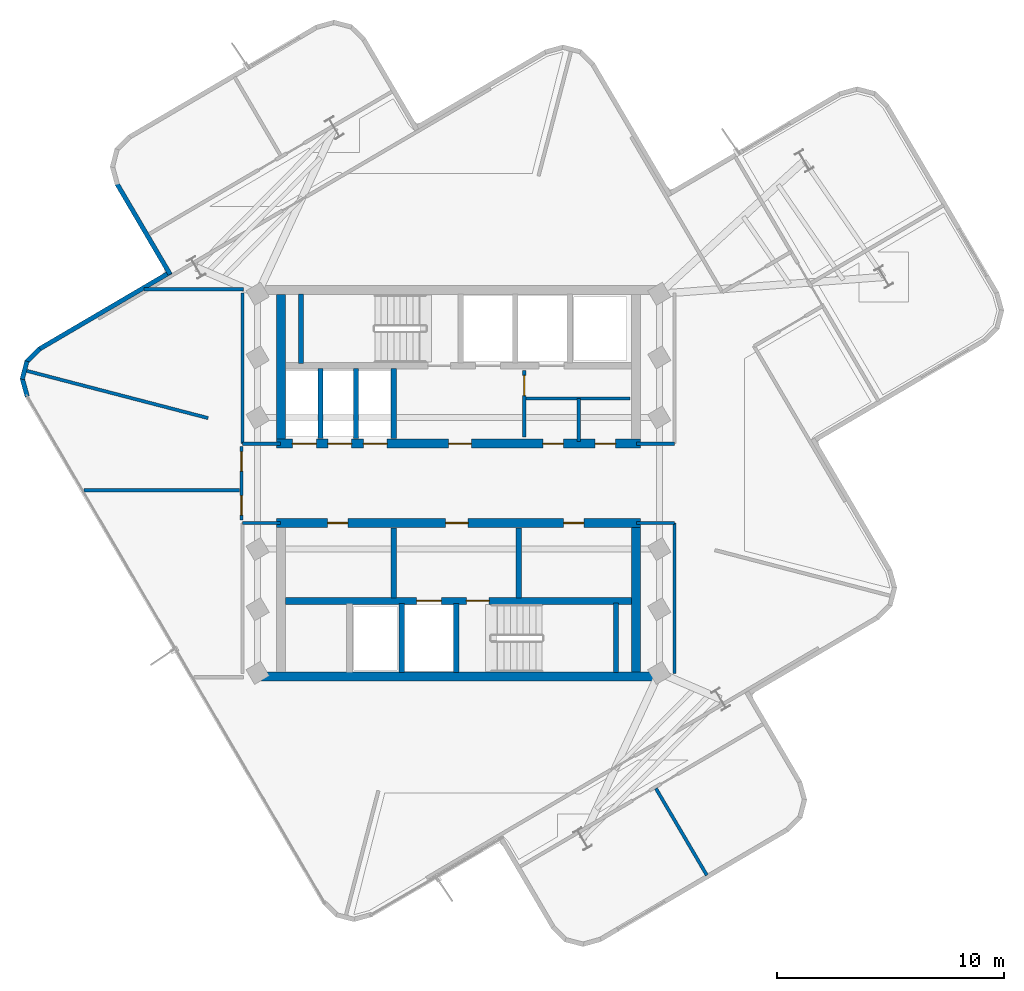
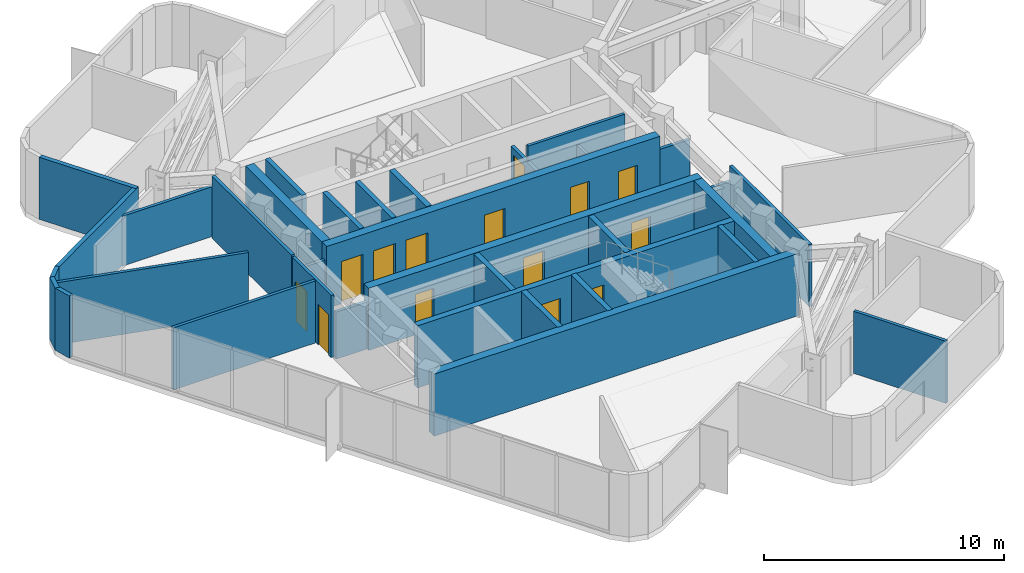
# One storey, part 5 of 9: 34 walls, 14 doors, 14 openings.
"""IFC4 building model written with IfcOpenShell, lengths in metres."""

from ifc_helpers import new_model, si_unit, direction, frame, frame_2d, origin, place, context, subcontext, project, spatial, rectangle, extrude, material, layer, layer_set, type_object, element, fill, save


model = new_model("IFC4")

# Units and contexts
model_context = context("Model", 3, precision=1e-05, world=origin(), true_north=direction((0.0, 1.0)))
body_context = subcontext(model_context, "Body", "Model", "MODEL_VIEW")
ifc_project = project(units=[si_unit("LENGTHUNIT", "METRE"), si_unit("AREAUNIT", "SQUARE_METRE"), si_unit("VOLUMEUNIT", "CUBIC_METRE"), si_unit("PLANEANGLEUNIT", "RADIAN"), si_unit("MASSUNIT", "GRAM", prefix="KILO")], contexts=[model_context])

# Site, building, storey
site_placement = place(None, origin())
site = spatial("IfcSite", under=ifc_project, at=site_placement, CompositionType="ELEMENT")
building_placement = place(site_placement, origin())
building = spatial("IfcBuilding", under=site, at=building_placement, Name="Solmarez Civic Tower", CompositionType="ELEMENT")
storey_placement = place(building_placement, frame((0.0, 0.0, 208.6201171875)))
storey = spatial("IfcBuildingStorey", under=building, at=storey_placement, Name="L55", CompositionType="ELEMENT", Elevation=208.6201171875)

# Wall, openings, doors
ifc_material_1 = material(Name="Concrete C50/60", Category="concrete")
ifc_layer_1 = layer(ifc_material_1, 0.39990234375)
ifc_layer_set_1 = layer_set([ifc_layer_1], Name="Concrete C50/60")
wall_type_1 = type_object("IfcWallType", Name="WALL-CORE-400", PredefinedType="SHEAR", material=ifc_layer_set_1)
wall_1_placement = place(storey_placement, frame((8.02001953125, 1.75, 0.0), z_axis=(0.0, 0.0, 1.0), x_axis=(-1.0, 0.0, 0.0)))
wall_1 = element("IfcWall", 1, at=wall_1_placement, inside=storey, type_object=wall_type_1, Name="L55 Split-Core Structural Wall NCW-S-L55", PredefinedType="SHEAR", context=body_context, shape_type="SweptSolid", body=[
    extrude(rectangle(XDim=16.0400390625, YDim=0.39990234375, at=frame_2d((8.02001953125, 0.0))), origin(), (0.0, 0.0, 1.0), 3.159912109375),
])
opening_1_placement = place(wall_1_placement, frame((7.449951171875, 0.0, 0.0)))
opening_1 = element("IfcOpeningElement", 2, at=opening_1_placement, cuts=wall_1, Name="Opening D-04", PredefinedType="OPENING", context=body_context, shape_type="SweptSolid", body=[
    extrude(rectangle(XDim=1.0, YDim=2.10009765625, at=frame_2d((0.5, 1.050048828125))), frame((0.0, 0.2099609375, 0.0), z_axis=(0.0, -1.0, 0.0), x_axis=(1.0, 0.0, 0.0)), (0.0, 0.0, 1.0), 0.419921875),
])
opening_2_placement = place(wall_1_placement, frame((14.284912109375, 0.0, 0.0)))
opening_2 = element("IfcOpeningElement", 3, at=opening_2_placement, cuts=wall_1, Name="Opening LD-01", PredefinedType="OPENING", context=body_context, shape_type="SweptSolid", body=[
    extrude(rectangle(XDim=1.050048828125, YDim=2.14990234375, at=frame_2d((0.52490234375, 1.074951171875))), frame((0.0, 0.2099609375, 0.0), z_axis=(0.0, -1.0, 0.0), x_axis=(1.0, 0.0, 0.0)), (0.0, 0.0, 1.0), 0.419921875),
])
opening_3_placement = place(wall_1_placement, frame((12.72509765625, 0.0, 0.0)))
opening_3 = element("IfcOpeningElement", 4, at=opening_3_placement, cuts=wall_1, Name="Opening LD-01", PredefinedType="OPENING", context=body_context, shape_type="SweptSolid", body=[
    extrude(rectangle(XDim=1.050048828125, YDim=2.14990234375, at=frame_2d((0.52490234375, 1.074951171875))), frame((0.0, 0.2099609375, 0.0), z_axis=(0.0, -1.0, 0.0), x_axis=(1.0, 0.0, 0.0)), (0.0, 0.0, 1.0), 0.419921875),
])
opening_4_placement = place(wall_1_placement, frame((11.1650390625, 0.0, 0.0)))
opening_4 = element("IfcOpeningElement", 5, at=opening_4_placement, cuts=wall_1, Name="Opening LD-01", PredefinedType="OPENING", context=body_context, shape_type="SweptSolid", body=[
    extrude(rectangle(XDim=1.050048828125, YDim=2.14990234375, at=frame_2d((0.52490234375, 1.074951171875))), frame((0.0, 0.2099609375, 0.0), z_axis=(0.0, -1.0, 0.0), x_axis=(1.0, 0.0, 0.0)), (0.0, 0.0, 1.0), 0.419921875),
])
opening_5_placement = place(wall_1_placement, frame((3.39990234375, 0.0, 0.0)))
opening_5 = element("IfcOpeningElement", 6, at=opening_5_placement, cuts=wall_1, Name="Opening D-09", PredefinedType="OPENING", context=body_context, shape_type="SweptSolid", body=[
    extrude(rectangle(XDim=0.89990234375, YDim=2.06005859375, at=frame_2d((0.449951171875, 1.030029296875))), frame((0.0, 0.2099609375, 0.0), z_axis=(0.0, -1.0, 0.0), x_axis=(1.0, 0.0, 0.0)), (0.0, 0.0, 1.0), 0.419921875),
])
opening_6_placement = place(wall_1_placement, frame((1.10009765625, 0.0, 0.0)))
opening_6 = element("IfcOpeningElement", 7, at=opening_6_placement, cuts=wall_1, Name="Opening D-09", PredefinedType="OPENING", context=body_context, shape_type="SweptSolid", body=[
    extrude(rectangle(XDim=0.89990234375, YDim=2.06005859375, at=frame_2d((0.449951171875, 1.030029296875))), frame((0.0, 0.2099609375, 0.0), z_axis=(0.0, -1.0, 0.0), x_axis=(1.0, 0.0, 0.0)), (0.0, 0.0, 1.0), 0.419921875),
])
ifc_material_2 = material(Name="Steel-Faced Acoustic Fire Door", Category="steel")
door_type_1 = type_object("IfcDoorType", Name="DOOR-FD60-1000", OperationType="NOTDEFINED", PredefinedType="DOOR", material=ifc_material_2)
door_1_placement = place(opening_1_placement, origin())
door_1 = element("IfcDoor", 8, at=door_1_placement, inside=storey, type_object=door_type_1, Name="L55 North Firefighting Lobby Door", OperationType="SINGLE_SWING_RIGHT", OverallHeight=2.10009765625, OverallWidth=1.0, PredefinedType="DOOR", context=body_context, shape_type="SweptSolid", body=[
    extrude(rectangle(XDim=1.0, YDim=2.10009765625, at=frame_2d((0.5, 1.050048828125))), frame((0.0, 0.02490234375, 0.0), z_axis=(0.0, -1.0, 0.0), x_axis=(1.0, 0.0, 0.0)), (0.0, 0.0, 1.0), 0.050048828125),
])
fill(opening_1, door_1)
ifc_material_3 = material(Name="Fire-Rated Service Core Door", Category="wood")
door_type_2 = type_object("IfcDoorType", Name="DOOR-FD60-900", OperationType="NOTDEFINED", PredefinedType="DOOR", material=ifc_material_3)
door_2_placement = place(opening_5_placement, origin())
door_2 = element("IfcDoor", 9, at=door_2_placement, inside=storey, type_object=door_type_2, Name="L55 Core WC Door", OperationType="SINGLE_SWING_LEFT", OverallHeight=2.06005859375, OverallWidth=0.89990234375, PredefinedType="DOOR", context=body_context, shape_type="SweptSolid", body=[
    extrude(rectangle(XDim=0.89990234375, YDim=2.06005859375, at=frame_2d((0.449951171875, 1.030029296875))), frame((0.0, 0.02490234375, 0.0), z_axis=(0.0, -1.0, 0.0), x_axis=(1.0, 0.0, 0.0)), (0.0, 0.0, 1.0), 0.050048828125),
])
fill(opening_5, door_2)
door_3_placement = place(opening_6_placement, origin())
door_3 = element("IfcDoor", 10, at=door_3_placement, inside=storey, type_object=door_type_2, Name="L55 Core CL Door", OperationType="SINGLE_SWING_RIGHT", OverallHeight=2.06005859375, OverallWidth=0.89990234375, PredefinedType="DOOR", context=body_context, shape_type="SweptSolid", body=[
    extrude(rectangle(XDim=0.89990234375, YDim=2.06005859375, at=frame_2d((0.449951171875, 1.030029296875))), frame((0.0, 0.02490234375, 0.0), z_axis=(0.0, -1.0, 0.0), x_axis=(1.0, 0.0, 0.0)), (0.0, 0.0, 1.0), 0.050048828125),
])
fill(opening_6, door_3)
ifc_material_4 = material(Name="Bronze Passenger Lift Landing Sliding Door", Category="aluminium")
door_type_3 = type_object("IfcDoorType", Name="DOOR-LD-PAX-1050", OperationType="DOUBLE_DOOR_SLIDING", PredefinedType="DOOR", material=ifc_material_4)
door_4_placement = place(opening_2_placement, origin())
door_4 = element("IfcDoor", 11, at=door_4_placement, inside=storey, type_object=door_type_3, Name="L55 High-Rise Lift Landing Door PL-H1", OperationType="DOUBLE_DOOR_SLIDING", OverallHeight=2.14990234375, OverallWidth=1.050048828125, PredefinedType="DOOR", context=body_context, shape_type="SweptSolid", body=[
    extrude(rectangle(XDim=1.050048828125, YDim=2.14990234375, at=frame_2d((0.52490234375, 1.074951171875))), frame((0.0, 0.02490234375, 0.0), z_axis=(0.0, -1.0, 0.0), x_axis=(1.0, 0.0, 0.0)), (0.0, 0.0, 1.0), 0.050048828125),
])
fill(opening_2, door_4)
door_5_placement = place(opening_3_placement, origin())
door_5 = element("IfcDoor", 12, at=door_5_placement, inside=storey, type_object=door_type_3, Name="L55 High-Rise Lift Landing Door PL-H2", OperationType="DOUBLE_DOOR_SLIDING", OverallHeight=2.14990234375, OverallWidth=1.050048828125, PredefinedType="DOOR", context=body_context, shape_type="SweptSolid", body=[
    extrude(rectangle(XDim=1.050048828125, YDim=2.14990234375, at=frame_2d((0.52490234375, 1.074951171875))), frame((0.0, 0.02490234375, 0.0), z_axis=(0.0, -1.0, 0.0), x_axis=(1.0, 0.0, 0.0)), (0.0, 0.0, 1.0), 0.050048828125),
])
fill(opening_3, door_5)
door_6_placement = place(opening_4_placement, origin())
door_6 = element("IfcDoor", 13, at=door_6_placement, inside=storey, type_object=door_type_3, Name="L55 High-Rise Lift Landing Door PL-H3", OperationType="DOUBLE_DOOR_SLIDING", OverallHeight=2.14990234375, OverallWidth=1.050048828125, PredefinedType="DOOR", context=body_context, shape_type="SweptSolid", body=[
    extrude(rectangle(XDim=1.050048828125, YDim=2.14990234375, at=frame_2d((0.52490234375, 1.074951171875))), frame((0.0, 0.02490234375, 0.0), z_axis=(0.0, -1.0, 0.0), x_axis=(1.0, 0.0, 0.0)), (0.0, 0.0, 1.0), 0.050048828125),
])
fill(opening_4, door_6)

# Walls
wall_2_placement = place(storey_placement, frame((-7.820068359375, 1.949951171875, 0.0), z_axis=(0.0, 0.0, 1.0), x_axis=(0.0, 1.0, 0.0)))
element("IfcWall", 14, at=wall_2_placement, inside=storey, type_object=wall_type_1, Name="L55 Split-Core Structural Wall NCW-W-L55", PredefinedType="SHEAR", context=body_context, shape_type="SweptSolid", body=[
    extrude(rectangle(XDim=6.360107421875, YDim=0.39990234375, at=frame_2d((3.18017578125, 0.0))), origin(), (0.0, 0.0, 1.0), 3.159912109375),
])
wall_3_placement = place(storey_placement, frame((8.780029296875, -8.510009765625, 0.0), z_axis=(0.0, 0.0, 1.0), x_axis=(-1.0, 0.0, 0.0)))
element("IfcWall", 15, at=wall_3_placement, inside=storey, type_object=wall_type_1, Name="L55 Split-Core Structural Wall SCW-S-L55", PredefinedType="SHEAR", context=body_context, shape_type="SweptSolid", body=[
    extrude(rectangle(XDim=17.56005859375, YDim=0.39990234375, at=frame_2d((8.780029296875, 0.0))), origin(), (0.0, 0.0, 1.0), 3.159912109375),
])

# Wall, openings, doors
wall_4_placement = place(storey_placement, frame((-8.02001953125, -1.75, 0.0), z_axis=(0.0, 0.0, 1.0), x_axis=(1.0, 0.0, 0.0)))
wall_4 = element("IfcWall", 16, at=wall_4_placement, inside=storey, type_object=wall_type_1, Name="L55 Split-Core Structural Wall SCW-N-L55", PredefinedType="SHEAR", context=body_context, shape_type="SweptSolid", body=[
    extrude(rectangle(XDim=16.0400390625, YDim=0.39990234375, at=frame_2d((8.02001953125, 0.0))), origin(), (0.0, 0.0, 1.0), 3.159912109375),
])
opening_7_placement = place(wall_4_placement, frame((7.449951171875, 0.0, 0.0)))
opening_7 = element("IfcOpeningElement", 17, at=opening_7_placement, cuts=wall_4, Name="Opening D-04", PredefinedType="OPENING", context=body_context, shape_type="SweptSolid", body=[
    extrude(rectangle(XDim=1.0, YDim=2.10009765625, at=frame_2d((0.5, 1.050048828125))), frame((0.0, 0.2099609375, 0.0), z_axis=(0.0, -1.0, 0.0), x_axis=(1.0, 0.0, 0.0)), (0.0, 0.0, 1.0), 0.419921875),
])
opening_8_placement = place(wall_4_placement, frame((12.64990234375, 0.0, 0.0)))
opening_8 = element("IfcOpeningElement", 18, at=opening_8_placement, cuts=wall_4, Name="Opening D-09", PredefinedType="OPENING", context=body_context, shape_type="SweptSolid", body=[
    extrude(rectangle(XDim=0.89990234375, YDim=2.06005859375, at=frame_2d((0.449951171875, 1.030029296875))), frame((0.0, 0.2099609375, 0.0), z_axis=(0.0, -1.0, 0.0), x_axis=(1.0, 0.0, 0.0)), (0.0, 0.0, 1.0), 0.419921875),
])
opening_9_placement = place(wall_4_placement, frame((2.25, 0.0, 0.0)))
opening_9 = element("IfcOpeningElement", 19, at=opening_9_placement, cuts=wall_4, Name="Opening D-09", PredefinedType="OPENING", context=body_context, shape_type="SweptSolid", body=[
    extrude(rectangle(XDim=0.89990234375, YDim=2.06005859375, at=frame_2d((0.449951171875, 1.030029296875))), frame((0.0, 0.2099609375, 0.0), z_axis=(0.0, -1.0, 0.0), x_axis=(1.0, 0.0, 0.0)), (0.0, 0.0, 1.0), 0.419921875),
])
door_7_placement = place(opening_7_placement, origin())
door_7 = element("IfcDoor", 20, at=door_7_placement, inside=storey, type_object=door_type_1, Name="L55 South Firefighting Lobby Door", OperationType="SINGLE_SWING_LEFT", OverallHeight=2.10009765625, OverallWidth=1.0, PredefinedType="DOOR", context=body_context, shape_type="SweptSolid", body=[
    extrude(rectangle(XDim=1.0, YDim=2.10009765625, at=frame_2d((0.5, 1.050048828125))), frame((0.0, 0.02490234375, 0.0), z_axis=(0.0, -1.0, 0.0), x_axis=(1.0, 0.0, 0.0)), (0.0, 0.0, 1.0), 0.050048828125),
])
fill(opening_7, door_7)
door_8_placement = place(opening_8_placement, origin())
door_8 = element("IfcDoor", 21, at=door_8_placement, inside=storey, type_object=door_type_2, Name="L55 Freed Hoistway Mailroom Door", OperationType="SINGLE_SWING_LEFT", OverallHeight=2.06005859375, OverallWidth=0.89990234375, PredefinedType="DOOR", context=body_context, shape_type="SweptSolid", body=[
    extrude(rectangle(XDim=0.89990234375, YDim=2.06005859375, at=frame_2d((0.449951171875, 1.030029296875))), frame((0.0, 0.02490234375, 0.0), z_axis=(0.0, -1.0, 0.0), x_axis=(1.0, 0.0, 0.0)), (0.0, 0.0, 1.0), 0.050048828125),
])
fill(opening_8, door_8)
door_9_placement = place(opening_9_placement, origin())
door_9 = element("IfcDoor", 22, at=door_9_placement, inside=storey, type_object=door_type_2, Name="L55 Delegation Tea Pantry Door", OperationType="SINGLE_SWING_RIGHT", OverallHeight=2.06005859375, OverallWidth=0.89990234375, PredefinedType="DOOR", context=body_context, shape_type="SweptSolid", body=[
    extrude(rectangle(XDim=0.89990234375, YDim=2.06005859375, at=frame_2d((0.449951171875, 1.030029296875))), frame((0.0, 0.02490234375, 0.0), z_axis=(0.0, -1.0, 0.0), x_axis=(1.0, 0.0, 0.0)), (0.0, 0.0, 1.0), 0.050048828125),
])
fill(opening_9, door_9)

# Walls
wall_5_placement = place(storey_placement, frame((7.820068359375, -1.949951171875, 0.0), z_axis=(0.0, 0.0, 1.0), x_axis=(0.0, -1.0, 0.0)))
element("IfcWall", 23, at=wall_5_placement, inside=storey, type_object=wall_type_1, Name="L55 Split-Core Structural Wall SCW-E-L55", PredefinedType="SHEAR", context=body_context, shape_type="SweptSolid", body=[
    extrude(rectangle(XDim=6.360107421875, YDim=0.39990234375, at=frame_2d((3.18017578125, 0.0))), origin(), (0.0, 0.0, 1.0), 3.159912109375),
])
ifc_material_5 = material(Name="Precast concrete C40/50", Category="concrete")
ifc_layer_2 = layer(ifc_material_5, 0.199951171875)
ifc_layer_set_2 = layer_set([ifc_layer_2], Name="Precast concrete C40/50")
wall_type_2 = type_object("IfcWallType", Name="WALL-EXT-200", PredefinedType="SOLIDWALL", material=ifc_layer_set_2)
wall_6_placement = place(storey_placement, frame((-19.0029296875, 3.822021484375, 0.0), z_axis=(0.0, 0.0, 1.0), x_axis=(-0.266246353668, 0.963905015631, 0.0)))
element("IfcWall", 24, at=wall_6_placement, inside=storey, type_object=wall_type_2, Name="L55 Exterior Precast Wall 7", PredefinedType="SOLIDWALL", context=body_context, shape_type="SweptSolid", body=[
    extrude(rectangle(XDim=0.838134765625, YDim=0.199951171875, at=frame_2d((0.4189453125, 0.0))), origin(), (0.0, 0.0, 1.0), 3.159912109375),
])
wall_7_placement = place(storey_placement, frame((-19.22509765625, 4.58203125, 0.0), z_axis=(0.0, 0.0, 1.0), x_axis=(0.251167733737, 0.967943577658, 0.0)))
element("IfcWall", 25, at=wall_7_placement, inside=storey, type_object=wall_type_2, Name="L55 Exterior Precast Wall 8", PredefinedType="SOLIDWALL", context=body_context, shape_type="SweptSolid", body=[
    extrude(rectangle(XDim=0.82421875, YDim=0.199951171875, at=frame_2d((0.412109375, 0.0))), origin(), (0.0, 0.0, 1.0), 3.159912109375),
])
wall_8_placement = place(storey_placement, frame((-19.0419921875, 5.337890625, 0.0), z_axis=(0.0, 0.0, 1.0), x_axis=(0.702877524881, 0.711310891957, 0.0)))
element("IfcWall", 26, at=wall_8_placement, inside=storey, type_object=wall_type_2, Name="L55 Exterior Precast Wall 9", PredefinedType="SOLIDWALL", context=body_context, shape_type="SweptSolid", body=[
    extrude(rectangle(XDim=0.839599609375, YDim=0.199951171875, at=frame_2d((0.419921875, 0.0))), origin(), (0.0, 0.0, 1.0), 3.159912109375),
])
wall_9_placement = place(storey_placement, frame((-18.491943359375, 5.904052734375, 0.0), z_axis=(0.0, 0.0, 1.0), x_axis=(0.86245977502, 0.506125613333, 0.0)))
element("IfcWall", 27, at=wall_9_placement, inside=storey, type_object=wall_type_2, Name="L55 Exterior Precast Wall 10", PredefinedType="SOLIDWALL", context=body_context, shape_type="SweptSolid", body=[
    extrude(rectangle(XDim=6.7412109375, YDim=0.199951171875, at=frame_2d((3.37060546875, 0.0))), origin(), (0.0, 0.0, 1.0), 3.159912109375),
])
wall_10_placement = place(storey_placement, frame((-12.70703125, 9.20703125, 0.0), z_axis=(0.0, 0.0, 1.0), x_axis=(-0.505936854923, 0.862570518178, 0.0)))
element("IfcWall", 28, at=wall_10_placement, inside=storey, type_object=wall_type_2, Name="L55 Exterior Precast Wall 13", PredefinedType="SOLIDWALL", context=body_context, shape_type="SweptSolid", body=[
    extrude(rectangle(XDim=4.640625, YDim=0.199951171875, at=frame_2d((2.3203125, 0.0))), origin(), (0.0, 0.0, 1.0), 3.159912109375),
])
ifc_material_6 = material(Name="Gypsum Board Acoustic Steel-Stud Partition", Category="steel")
ifc_layer_3 = layer(ifc_material_6, 0.14990234375)
ifc_layer_set_3 = layer_set([ifc_layer_3], Name="Gypsum Board Acoustic Steel-Stud Partition")
wall_type_3 = type_object("IfcWallType", Name="WALL-INT-FIRE-150", PredefinedType="PARTITIONING", material=ifc_layer_set_3)
wall_11_placement = place(storey_placement, frame((-9.52001953125, 1.75, 0.0), z_axis=(0.0, 0.0, 1.0), x_axis=(0.0, 1.0, 0.0)))
element("IfcWall", 29, at=wall_11_placement, inside=storey, type_object=wall_type_3, Name="L55 Interior Partition CHW-L55-WN1", PredefinedType="PARTITIONING", context=body_context, shape_type="SweptSolid", body=[
    extrude(rectangle(XDim=6.6298828125, YDim=0.14990234375, at=frame_2d((3.31494140625, 0.0))), origin(), (0.0, 0.0, 1.0), 3.159912109375),
])
for number, where, z_axis, x_axis, name in (
    (30, (-7.85009765625, 1.75, 0.0), (0.0, 0.0, 1.0), (-1.0, 0.0, 0.0), "L55 Interior Partition CHW-L55-WN3"),
    (31, (-7.85009765625, -1.75, 0.0), (0.0, 0.0, 1.0), (-1.0, 0.0, 0.0), "L55 Interior Partition CHW-L55-WS3"),
    (32, (7.85009765625, 1.75, 0.0), (0.0, 0.0, 1.0), (1.0, 0.0, 0.0), "L55 Interior Partition CHW-L55-EN3"),
):
    element("IfcWall", number, at=place(storey_placement, frame(where, z_axis=z_axis, x_axis=x_axis)), inside=storey, type_object=wall_type_3, Name=name, PredefinedType="PARTITIONING", context=body_context, shape_type="SweptSolid", body=[
        extrude(rectangle(XDim=1.669921875, YDim=0.14990234375, at=frame_2d((0.8349609375, 0.0))), origin(), (0.0, 0.0, 1.0), 2.389892578125),
    ])
wall_12_placement = place(storey_placement, frame((9.52001953125, -8.3798828125, 0.0), z_axis=(0.0, 0.0, 1.0), x_axis=(0.0, 1.0, 0.0)))
element("IfcWall", 33, at=wall_12_placement, inside=storey, type_object=wall_type_3, Name="L55 Interior Partition CHW-L55-ES1", PredefinedType="PARTITIONING", context=body_context, shape_type="SweptSolid", body=[
    extrude(rectangle(XDim=6.6298828125, YDim=0.14990234375, at=frame_2d((3.31494140625, 0.0))), origin(), (0.0, 0.0, 1.0), 3.159912109375),
])
wall_13_placement = place(storey_placement, frame((7.85009765625, -1.75, 0.0), z_axis=(0.0, 0.0, 1.0), x_axis=(1.0, 0.0, 0.0)))
element("IfcWall", 34, at=wall_13_placement, inside=storey, type_object=wall_type_3, Name="L55 Interior Partition CHW-L55-ES3", PredefinedType="PARTITIONING", context=body_context, shape_type="SweptSolid", body=[
    extrude(rectangle(XDim=1.669921875, YDim=0.14990234375, at=frame_2d((0.8349609375, 0.0))), origin(), (0.0, 0.0, 1.0), 2.389892578125),
])
ifc_layer_4 = layer(ifc_material_6, 0.14501953125)
ifc_layer_set_4 = layer_set([ifc_layer_4], Name="Gypsum Board Acoustic Steel-Stud Partition")
wall_type_4 = type_object("IfcWallType", Name="WALL-INT-PART-150", PredefinedType="PARTITIONING", material=ifc_layer_set_4)
wall_14_placement = place(storey_placement, frame((-16.501953125, -0.300048828125, 0.0), z_axis=(0.0, 0.0, 1.0), x_axis=(1.0, 0.0, 0.0)))
element("IfcWall", 35, at=wall_14_placement, inside=storey, type_object=wall_type_4, Name="L55 Interior Partition PT-L55-WH-DIV", PredefinedType="PARTITIONING", context=body_context, shape_type="SweptSolid", body=[
    extrude(rectangle(XDim=6.842041015625, YDim=0.14501953125, at=frame_2d((3.4208984375, 0.0))), origin(), (0.0, 0.0, 1.0), 3.159912109375),
])
wall_15_placement = place(storey_placement, frame((-13.85400390625, 8.550048828125, 0.0), z_axis=(0.0, 0.0, 1.0), x_axis=(1.0, 0.0, 0.0)))
element("IfcWall", 36, at=wall_15_placement, inside=storey, type_object=wall_type_4, Name="L55 Interior Partition PT-L55-WH-BN", PredefinedType="PARTITIONING", context=body_context, shape_type="SweptSolid", body=[
    extrude(rectangle(XDim=4.3740234375, YDim=0.14501953125, at=frame_2d((2.18701171875, 0.0))), origin(), (0.0, 0.0, 1.0), 2.52978515625),
])

# Wall, openings, doors
wall_16_placement = place(storey_placement, frame((-9.56005859375, -1.6201171875, 0.0), z_axis=(0.0, 0.0, 1.0), x_axis=(0.0, 1.0, 0.0)))
wall_16 = element("IfcWall", 37, at=wall_16_placement, inside=storey, type_object=wall_type_4, Name="L55 Interior Partition PT-L55-WH-ENT", PredefinedType="PARTITIONING", context=body_context, shape_type="SweptSolid", body=[
    extrude(rectangle(XDim=3.240234375, YDim=0.14501953125, at=frame_2d((1.6201171875, 0.0))), origin(), (0.0, 0.0, 1.0), 3.159912109375),
])
opening_10_placement = place(wall_16_placement, frame((0.219970703125, 0.0, 0.0)))
opening_10 = element("IfcOpeningElement", 38, at=opening_10_placement, cuts=wall_16, Name="Opening D-14", PredefinedType="OPENING", context=body_context, shape_type="SweptSolid", body=[
    extrude(rectangle(XDim=0.860107421875, YDim=2.0400390625, at=frame_2d((0.43017578125, 1.02001953125))), frame((0.0, 0.08251953125, 0.0), z_axis=(0.0, -1.0, 0.0), x_axis=(1.0, 0.0, 0.0)), (0.0, 0.0, 1.0), 0.1650390625),
])
opening_11_placement = place(wall_16_placement, frame((2.159912109375, 0.0, 0.0)))
opening_11 = element("IfcOpeningElement", 39, at=opening_11_placement, cuts=wall_16, Name="Opening D-14", PredefinedType="OPENING", context=body_context, shape_type="SweptSolid", body=[
    extrude(rectangle(XDim=0.860107421875, YDim=2.0400390625, at=frame_2d((0.43017578125, 1.02001953125))), frame((0.0, 0.08251953125, 0.0), z_axis=(0.0, -1.0, 0.0), x_axis=(1.0, 0.0, 0.0)), (0.0, 0.0, 1.0), 0.1650390625),
])
ifc_material_7 = material(Name="Timber Storage and Pantry Door", Category="wood")
door_type_4 = type_object("IfcDoorType", Name="DOOR-INT-850", OperationType="NOTDEFINED", PredefinedType="DOOR", material=ifc_material_7)
door_10_placement = place(opening_10_placement, origin())
door_10 = element("IfcDoor", 40, at=door_10_placement, inside=storey, type_object=door_type_4, Name="L55 Staff Pantry West Second Door", OperationType="SINGLE_SWING_RIGHT", OverallHeight=2.0400390625, OverallWidth=0.860107421875, PredefinedType="DOOR", context=body_context, shape_type="SweptSolid", body=[
    extrude(rectangle(XDim=0.860107421875, YDim=2.0400390625, at=frame_2d((0.43017578125, 1.02001953125))), frame((0.0, 0.02490234375, 0.0), z_axis=(0.0, -1.0, 0.0), x_axis=(1.0, 0.0, 0.0)), (0.0, 0.0, 1.0), 0.050048828125),
])
fill(opening_10, door_10)
door_11_placement = place(opening_11_placement, origin())
door_11 = element("IfcDoor", 41, at=door_11_placement, inside=storey, type_object=door_type_4, Name="L55 Policy Boardroom West First Door", OperationType="SINGLE_SWING_LEFT", OverallHeight=2.0400390625, OverallWidth=0.860107421875, PredefinedType="DOOR", context=body_context, shape_type="SweptSolid", body=[
    extrude(rectangle(XDim=0.860107421875, YDim=2.0400390625, at=frame_2d((0.43017578125, 1.02001953125))), frame((0.0, 0.02490234375, 0.0), z_axis=(0.0, -1.0, 0.0), x_axis=(1.0, 0.0, 0.0)), (0.0, 0.0, 1.0), 0.050048828125),
])
fill(opening_11, door_11)

# Walls
wall_17_placement = place(storey_placement, frame((-11.031982421875, 2.8740234375, 0.0), z_axis=(0.0, 0.0, 1.0), x_axis=(-0.967704417597, 0.252087604146, 0.0)))
element("IfcWall", 42, at=wall_17_placement, inside=storey, type_object=wall_type_4, Name="L55 Interior Partition PT-L55-QDIV-2", PredefinedType="PARTITIONING", context=body_context, shape_type="SweptSolid", body=[
    extrude(rectangle(XDim=8.294921875, YDim=0.14501953125, at=frame_2d((4.1474609375, 0.0))), origin(), (0.0, 0.0, 1.0), 3.159912109375),
])
wall_18_placement = place(storey_placement, frame((8.699951171875, -13.446044921875, 0.0), z_axis=(0.0, 0.0, 1.0), x_axis=(0.506043007476, -0.862508246097, 0.0)))
element("IfcWall", 43, at=wall_18_placement, inside=storey, type_object=wall_type_4, Name="L55 Interior Partition PT-L55-S-TM3", PredefinedType="PARTITIONING", context=body_context, shape_type="SweptSolid", body=[
    extrude(rectangle(XDim=4.4345703125, YDim=0.14501953125, at=frame_2d((2.21728515625, 0.0))), origin(), (0.0, 0.0, 1.0), 3.159912109375),
])

# Wall, opening, door
ifc_layer_5 = layer(ifc_material_6, 0.159912109375)
ifc_layer_set_5 = layer_set([ifc_layer_5], Name="Gypsum Board Acoustic Steel-Stud Partition")
wall_type_5 = type_object("IfcWallType", Name="WALL-INT-SHAFT-160", PredefinedType="PARTITIONING", material=ifc_layer_set_5)
wall_19_placement = place(storey_placement, frame((2.89990234375, 2.0400390625, 0.0), z_axis=(0.0, 0.0, 1.0), x_axis=(0.0, 1.0, 0.0)))
wall_19 = element("IfcWall", 44, at=wall_19_placement, inside=storey, type_object=wall_type_5, Name="L55 Interior Partition SHW-NL2-L55", PredefinedType="PARTITIONING", context=body_context, shape_type="SweptSolid", body=[
    extrude(rectangle(XDim=2.93994140625, YDim=0.159912109375, at=frame_2d((1.469970703125, 0.0))), origin(), (0.0, 0.0, 1.0), 2.389892578125),
])
opening_12_placement = place(wall_19_placement, frame((1.820068359375, 0.0, 0.0)))
opening_12 = element("IfcOpeningElement", 45, at=opening_12_placement, cuts=wall_19, Name="Opening D-09", PredefinedType="OPENING", context=body_context, shape_type="SweptSolid", body=[
    extrude(rectangle(XDim=0.89990234375, YDim=2.06005859375, at=frame_2d((0.449951171875, 1.030029296875))), frame((0.0, 0.08984375, 0.0), z_axis=(0.0, -1.0, 0.0), x_axis=(1.0, 0.0, 0.0)), (0.0, 0.0, 1.0), 0.179931640625),
])
door_12_placement = place(opening_12_placement, origin())
door_12 = element("IfcDoor", 46, at=door_12_placement, inside=storey, type_object=door_type_2, Name="L55 Service Lift Lobby Door", OperationType="SINGLE_SWING_LEFT", OverallHeight=2.06005859375, OverallWidth=0.89990234375, PredefinedType="DOOR", context=body_context, shape_type="SweptSolid", body=[
    extrude(rectangle(XDim=0.89990234375, YDim=2.06005859375, at=frame_2d((0.449951171875, 1.030029296875))), frame((0.0, 0.02490234375, 0.0), z_axis=(0.0, -1.0, 0.0), x_axis=(1.0, 0.0, 0.0)), (0.0, 0.0, 1.0), 0.050048828125),
])
fill(opening_12, door_12)

# Walls
ifc_layer_6 = layer(ifc_material_6, 0.137939453125)
ifc_layer_set_6 = layer_set([ifc_layer_6], Name="Gypsum Board Acoustic Steel-Stud Partition")
wall_type_6 = type_object("IfcWallType", Name="WALL-INT-WET-140", PredefinedType="PARTITIONING", material=ifc_layer_set_6)
wall_20_placement = place(storey_placement, frame((2.89990234375, 3.739990234375, 0.0), z_axis=(0.0, 0.0, 1.0), x_axis=(1.0, 0.0, 0.0)))
element("IfcWall", 47, at=wall_20_placement, inside=storey, type_object=wall_type_6, Name="L55 Interior Partition SHW-SVH-L55", PredefinedType="PARTITIONING", context=body_context, shape_type="SweptSolid", body=[
    extrude(rectangle(XDim=4.650146484375, YDim=0.137939453125, at=frame_2d((2.3251953125, 0.0))), origin(), (0.0, 0.0, 1.0), 3.159912109375),
])
wall_21_placement = place(storey_placement, frame((5.300048828125, 1.85009765625, 0.0), z_axis=(0.0, 0.0, 1.0), x_axis=(0.0, 1.0, 0.0)))
element("IfcWall", 48, at=wall_21_placement, inside=storey, type_object=wall_type_6, Name="L55 Interior Partition PT-NCSV-L55", PredefinedType="PARTITIONING", context=body_context, shape_type="SweptSolid", body=[
    extrude(rectangle(XDim=1.889892578125, YDim=0.137939453125, at=frame_2d((0.94482421875, 0.0))), origin(), (0.0, 0.0, 1.0), 2.389892578125),
])

# Wall, openings, doors
ifc_layer_7 = layer(ifc_material_1, 0.300048828125)
ifc_layer_set_7 = layer_set([ifc_layer_7], Name="Concrete C50/60")
wall_type_7 = type_object("IfcWallType", Name="WALL-STR-300", PredefinedType="SOLIDWALL", material=ifc_layer_set_7)
wall_22_placement = place(storey_placement, frame((-7.6201171875, -5.179931640625, 0.0), z_axis=(0.0, 0.0, 1.0), x_axis=(1.0, 0.0, 0.0)))
wall_22 = element("IfcWall", 49, at=wall_22_placement, inside=storey, type_object=wall_type_7, Name="L55 Split-Core Structural Wall SCW-M-L55", PredefinedType="SOLIDWALL", context=body_context, shape_type="SweptSolid", body=[
    extrude(rectangle(XDim=15.240234375, YDim=0.300048828125, at=frame_2d((7.6201171875, 0.0))), origin(), (0.0, 0.0, 1.0), 3.159912109375),
])
opening_13_placement = place(wall_22_placement, frame((5.77001953125, 0.0, 0.0)))
opening_13 = element("IfcOpeningElement", 50, at=opening_13_placement, cuts=wall_22, Name="Opening LD-02", PredefinedType="OPENING", context=body_context, shape_type="SweptSolid", body=[
    extrude(rectangle(XDim=1.10009765625, YDim=2.14990234375, at=frame_2d((0.550048828125, 1.074951171875))), frame((0.0, 0.159912109375, 0.0), z_axis=(0.0, -1.0, 0.0), x_axis=(1.0, 0.0, 0.0)), (0.0, 0.0, 1.0), 0.320068359375),
])
opening_14_placement = place(wall_22_placement, frame((7.969970703125, 0.0, 0.0)))
opening_14 = element("IfcOpeningElement", 51, at=opening_14_placement, cuts=wall_22, Name="Opening D-05", PredefinedType="OPENING", context=body_context, shape_type="SweptSolid", body=[
    extrude(rectangle(XDim=1.0, YDim=2.10009765625, at=frame_2d((0.5, 1.050048828125))), frame((0.0, 0.159912109375, 0.0), z_axis=(0.0, -1.0, 0.0), x_axis=(1.0, 0.0, 0.0)), (0.0, 0.0, 1.0), 0.320068359375),
])
ifc_material_8 = material(Name="Fire-Rated Stairwell Exit Door", Category="wood")
door_type_5 = type_object("IfcDoorType", Name="DOOR-FD90-1000", OperationType="NOTDEFINED", PredefinedType="DOOR", material=ifc_material_8)
door_13_placement = place(opening_14_placement, origin())
door_13 = element("IfcDoor", 52, at=door_13_placement, inside=storey, type_object=door_type_5, Name="L55 South Exit Stair Door ST-2", OperationType="SINGLE_SWING_LEFT", OverallHeight=2.10009765625, OverallWidth=1.0, PredefinedType="DOOR", context=body_context, shape_type="SweptSolid", body=[
    extrude(rectangle(XDim=1.0, YDim=2.10009765625, at=frame_2d((0.5, 1.050048828125))), frame((0.0, 0.02490234375, 0.0), z_axis=(0.0, -1.0, 0.0), x_axis=(1.0, 0.0, 0.0)), (0.0, 0.0, 1.0), 0.050048828125),
])
fill(opening_14, door_13)
ifc_material_9 = material(Name="Stainless Firefighting Lift Landing Sliding Door", Category="aluminium")
door_type_6 = type_object("IfcDoorType", Name="DOOR-LD-FF-1100", OperationType="DOUBLE_DOOR_SLIDING", PredefinedType="DOOR", material=ifc_material_9)
door_14_placement = place(opening_13_placement, origin())
door_14 = element("IfcDoor", 53, at=door_14_placement, inside=storey, type_object=door_type_6, Name="L55 Firefighting Lift Landing Door FFL-2", OperationType="DOUBLE_DOOR_SLIDING", OverallHeight=2.14990234375, OverallWidth=1.10009765625, PredefinedType="DOOR", context=body_context, shape_type="SweptSolid", body=[
    extrude(rectangle(XDim=1.10009765625, YDim=2.14990234375, at=frame_2d((0.550048828125, 1.074951171875))), frame((0.0, 0.02490234375, 0.0), z_axis=(0.0, -1.0, 0.0), x_axis=(1.0, 0.0, 0.0)), (0.0, 0.0, 1.0), 0.050048828125),
])
fill(opening_13, door_14)

# Walls
for number, where, z_axis, x_axis, name in (
    (54, (-6.949951171875, 5.280029296875, 0.0), (0.0, 0.0, 1.0), (0.0, 1.0, 0.0), "L55 Split-Core Structural Wall SHW-NW-L55"),
    (55, (6.949951171875, -8.340087890625, 0.0), (0.0, 0.0, 1.0), (0.0, 1.0, 0.0), "L55 Split-Core Structural Wall SHW-SE-L55"),
):
    element("IfcWall", number, at=place(storey_placement, frame(where, z_axis=z_axis, x_axis=x_axis)), inside=storey, type_object=wall_type_7, Name=name, PredefinedType="SOLIDWALL", context=body_context, shape_type="SweptSolid", body=[
        extrude(rectangle(XDim=3.06005859375, YDim=0.219970703125, at=frame_2d((1.530029296875, 0.0))), origin(), (0.0, 0.0, 1.0), 3.159912109375),
    ])
wall_23_placement = place(storey_placement, frame((-2.85009765625, 1.97998046875, 0.0), z_axis=(0.0, 0.0, 1.0), x_axis=(0.0, 1.0, 0.0)))
element("IfcWall", 56, at=wall_23_placement, inside=storey, type_object=wall_type_7, Name="L55 Split-Core Structural Wall SHW-NL1-L55", PredefinedType="SOLIDWALL", context=body_context, shape_type="SweptSolid", body=[
    extrude(rectangle(XDim=3.070068359375, YDim=0.25, at=frame_2d((1.53515625, 0.0))), origin(), (0.0, 0.0, 1.0), 3.159912109375),
])
for number, where, z_axis, x_axis, name in (
    (57, (-0.10009765625, -8.340087890625, 0.0), (0.0, 0.0, 1.0), (0.0, 1.0, 0.0), "L55 Split-Core Structural Wall SHW-S1-L55"),
    (58, (-2.5, -8.340087890625, 0.0), (0.0, 0.0, 1.0), (0.0, 1.0, 0.0), "L55 Split-Core Structural Wall SHW-S2-L55"),
):
    element("IfcWall", number, at=place(storey_placement, frame(where, z_axis=z_axis, x_axis=x_axis)), inside=storey, type_object=wall_type_7, Name=name, PredefinedType="SOLIDWALL", context=body_context, shape_type="SweptSolid", body=[
        extrude(rectangle(XDim=3.0400390625, YDim=0.25, at=frame_2d((1.52001953125, 0.0))), origin(), (0.0, 0.0, 1.0), 3.159912109375),
    ])
for number, where, z_axis, x_axis, name in (
    (59, (-2.85009765625, -5.050048828125, 0.0), (0.0, 0.0, 1.0), (0.0, 1.0, 0.0), "L55 Split-Core Structural Wall SHW-SL1-L55"),
    (60, (2.64990234375, -5.050048828125, 0.0), (0.0, 0.0, 1.0), (0.0, 1.0, 0.0), "L55 Split-Core Structural Wall SHW-SL2-L55"),
):
    element("IfcWall", number, at=place(storey_placement, frame(where, z_axis=z_axis, x_axis=x_axis)), inside=storey, type_object=wall_type_7, Name=name, PredefinedType="SOLIDWALL", context=body_context, shape_type="SweptSolid", body=[
        extrude(rectangle(XDim=3.070068359375, YDim=0.25, at=frame_2d((1.53515625, 0.0))), origin(), (0.0, 0.0, 1.0), 3.159912109375),
    ])
for number, where, z_axis, x_axis, name in (
    (61, (-6.080078125, 1.97998046875, 0.0), (0.0, 0.0, 1.0), (0.0, 1.0, 0.0), "L55 Split-Core Structural Wall SHW-PLH-L55-1"),
    (62, (-4.52001953125, 1.97998046875, 0.0), (0.0, 0.0, 1.0), (0.0, 1.0, 0.0), "L55 Split-Core Structural Wall SHW-PLH-L55-2"),
):
    element("IfcWall", number, at=place(storey_placement, frame(where, z_axis=z_axis, x_axis=x_axis)), inside=storey, type_object=wall_type_7, Name=name, PredefinedType="SOLIDWALL", context=body_context, shape_type="SweptSolid", body=[
        extrude(rectangle(XDim=3.070068359375, YDim=0.219970703125, at=frame_2d((1.53515625, 0.0))), origin(), (0.0, 0.0, 1.0), 3.159912109375),
    ])

save(model, "model.ifc")
